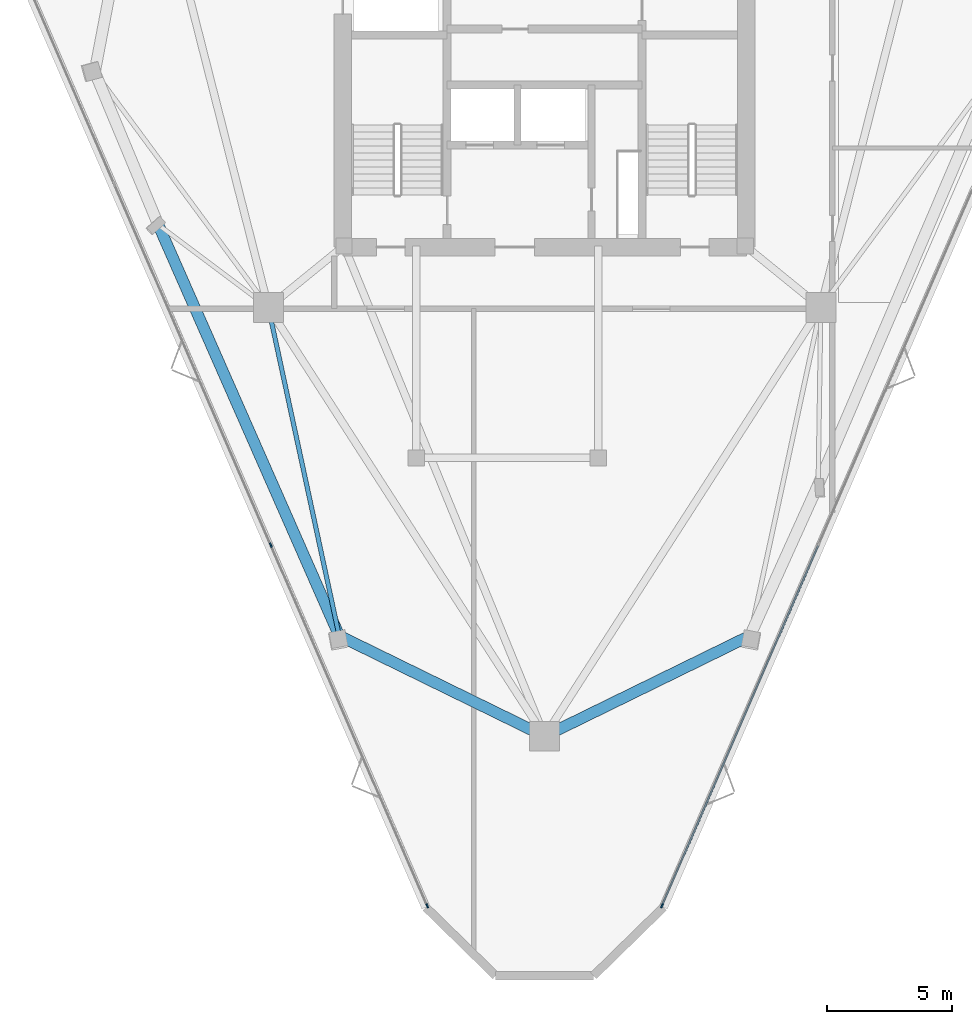
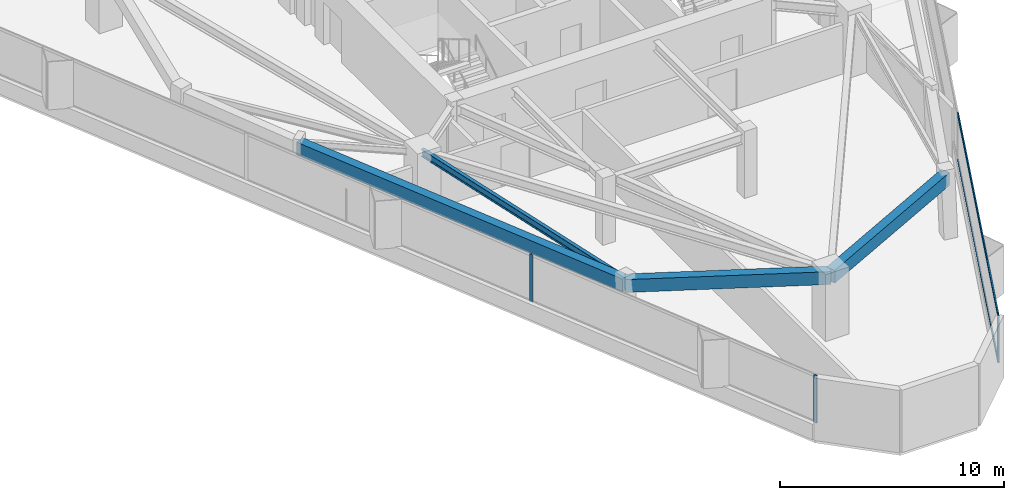
# One storey, part 2 of 11: 5 members, 4 beams, 2 elements without a shape of their own.
"""IFC4 building model written with IfcOpenShell, lengths in metres."""

from ifc_helpers import new_model, si_unit, direction, frame, origin, origin_2d, place, context, subcontext, project, spatial, rectangle, i_section, extrude, material, layer, layer_set, material_profile, profile_set, type_object, element, aggregate, save


model = new_model("IFC4")

# Units and contexts
model_context = context("Model", 3, precision=1e-05, world=origin(), true_north=direction((0.0, 1.0)))
body_context = subcontext(model_context, "Body", "Model", "MODEL_VIEW")
ifc_project = project(units=[si_unit("LENGTHUNIT", "METRE"), si_unit("AREAUNIT", "SQUARE_METRE"), si_unit("VOLUMEUNIT", "CUBIC_METRE"), si_unit("PLANEANGLEUNIT", "RADIAN"), si_unit("MASSUNIT", "GRAM", prefix="KILO")], contexts=[model_context])

# Site, building, storey
site_placement = place(None, origin())
site = spatial("IfcSite", under=ifc_project, at=site_placement, CompositionType="ELEMENT")
building_placement = place(site_placement, origin())
building = spatial("IfcBuilding", under=site, at=building_placement, Name="Talyreon Biosciences Tower", CompositionType="ELEMENT")
storey_placement = place(building_placement, frame((0.0, 0.0, 235.25)))
storey = spatial("IfcBuildingStorey", under=building, at=storey_placement, Name="L62", CompositionType="ELEMENT", Elevation=235.25)

# Curtain wall, members
ifc_material_1 = material(Name="Thermally broken aluminium and low-E glazing", Category="aluminium")
ifc_layer = layer(ifc_material_1, 0.175048828125)
ifc_layer_set = layer_set([ifc_layer], Name="Thermally broken aluminium and low-E glazing")
curtain_wall_type = type_object("IfcCurtainWallType", Name="CurtainWall_Zone5CompLab", PredefinedType="NOTDEFINED", material=ifc_layer_set)
curtain_wall_1_placement = place(storey_placement, origin())
curtain_wall_1 = element("IfcCurtainWall", 1, at=curtain_wall_1_placement, inside=storey, type_object=curtain_wall_type, Name="L62 Unitised Curtain Wall FCW-L62-00", PredefinedType="NOTDEFINED")
ifc_material_2 = material(Name="Anodised thermally broken aluminium", Category="aluminium")
ifc_material_profile_1 = material_profile(ifc_material_2, rectangle(XDim=0.06494140625, YDim=0.179931640625, at=origin_2d()), Name="ALUM MULLION 65x180")
ifc_profile_set_1 = profile_set([ifc_material_profile_1], Name="Anodised thermally broken aluminium")
member_type_1 = type_object("IfcMemberType", Name="CWMullion_65x180", PredefinedType="MULLION", material=ifc_profile_set_1)
member_1_placement = place(storey_placement, frame((61.28955078125, 34.862548828125, 0.81005859375), z_axis=(0.0, 0.0, 1.0), x_axis=(-0.917458244079, -0.397832088162, 0.0)))
member_1 = element("IfcMember", 2, at=member_1_placement, type_object=member_type_1, Name="CW6 mullion 1", PredefinedType="MULLION", context=body_context, shape_type="SweptSolid", body=[
    extrude(rectangle(XDim=0.06494140625, YDim=0.179931640625, at=origin_2d()), origin(), (0.0, 0.0, 1.0), 2.58984375),
])
member_2_placement = place(storey_placement, frame((55.012939453125, 49.337646484375, 0.81005859375), z_axis=(0.0, 0.0, 1.0), x_axis=(-0.917458244079, -0.397832088162, 0.0)))
member_2 = element("IfcMember", 3, at=member_2_placement, type_object=member_type_1, Name="CW6 mullion 2", PredefinedType="MULLION", context=body_context, shape_type="SweptSolid", body=[
    extrude(rectangle(XDim=0.06494140625, YDim=0.179931640625, at=origin_2d()), origin(), (0.0, 0.0, 1.0), 2.58984375),
])
aggregate(curtain_wall_1, [member_1, member_2])

curtain_wall_2_placement = place(storey_placement, origin())
curtain_wall_2 = element("IfcCurtainWall", 4, at=curtain_wall_2_placement, inside=storey, type_object=curtain_wall_type, Name="L62 Unitised Curtain Wall FCW-L62-08", PredefinedType="NOTDEFINED")
member_3_placement = place(storey_placement, frame((70.71044921875, 34.862548828125, 0.81005859375), z_axis=(0.0, 0.0, 1.0), x_axis=(0.917458244079, -0.397832088162, 0.0)))
member_3 = element("IfcMember", 5, at=member_3_placement, type_object=member_type_1, Name="CW6 mullion 4", PredefinedType="MULLION", context=body_context, shape_type="SweptSolid", body=[
    extrude(rectangle(XDim=0.06494140625, YDim=0.179931640625, at=origin_2d()), origin(), (0.0, 0.0, 1.0), 2.58984375),
])
ifc_material_profile_2 = material_profile(ifc_material_2, rectangle(XDim=0.06494140625, YDim=0.139892578125, at=origin_2d()), Name="ALUM TRANSOM 65x140")
ifc_profile_set_2 = profile_set([ifc_material_profile_2], Name="Anodised thermally broken aluminium")
member_type_2 = type_object("IfcMemberType", Name="CWTransom_65x140", PredefinedType="USERDEFINED", material=ifc_profile_set_2)
member_4_placement = place(storey_placement, frame((76.97412109375, 49.307861328125, 0.842529296875), z_axis=(-0.397835044798, -0.917456962004, 0.0), x_axis=(0.917456962004, -0.397835044798, 0.0)))
member_4 = element("IfcMember", 6, at=member_4_placement, type_object=member_type_2, Name="CW6 transom 3.1", ObjectType="TRANSOM", PredefinedType="USERDEFINED", context=body_context, shape_type="SweptSolid", body=[
    extrude(rectangle(XDim=0.06494140625, YDim=0.139892578125, at=origin_2d()), origin(), (0.0, 0.0, 1.0), 15.71240234375),
])
member_5_placement = place(storey_placement, frame((76.97412109375, 49.307861328125, 3.367431640625), z_axis=(-0.397835044798, -0.917456962004, 0.0), x_axis=(0.917456962004, -0.397835044798, 0.0)))
member_5 = element("IfcMember", 7, at=member_5_placement, type_object=member_type_2, Name="CW6 transom 3.2", ObjectType="TRANSOM", PredefinedType="USERDEFINED", context=body_context, shape_type="SweptSolid", body=[
    extrude(rectangle(XDim=0.06494140625, YDim=0.139892578125, at=origin_2d()), origin(), (0.0, 0.0, 1.0), 15.71240234375),
])
aggregate(curtain_wall_2, [member_3, member_4, member_5])

# Beams
ifc_material_3 = material(Name="Precast concrete C45/55", Category="concrete")
ifc_material_profile_3 = material_profile(ifc_material_3, rectangle(XDim=0.449951171875, YDim=0.699951171875, at=origin_2d()), Name="RCB 450x700")
ifc_profile_set_3 = profile_set([ifc_material_profile_3], Name="Precast concrete C45/55")
beam_type_1 = type_object("IfcBeamType", Name="ExpressedSpandrel_450x700", PredefinedType="SPANDREL", material=ifc_profile_set_3)
beam_1_placement = place(storey_placement, frame((66.0, 41.6669921875, 3.050048828125), z_axis=(0.898198399713, 0.439590303298, 0.0), x_axis=(-0.439590303298, 0.898198399713, 0.0)))
element("IfcBeam", 8, at=beam_1_placement, inside=storey, type_object=beam_type_1, Name="L62 Expressed Horizontal Concrete Spandrel 01", PredefinedType="SPANDREL", context=body_context, shape_type="SweptSolid", body=[
    extrude(rectangle(XDim=0.449951171875, YDim=0.699951171875, at=origin_2d()), origin(), (0.0, 0.0, 1.0), 9.1787109375),
])
beam_2_placement = place(storey_placement, frame((50.49365234375, 62.197998046875, 3.050048828125), z_axis=(0.402909741236, -0.91523971746, 0.0), x_axis=(0.91523971746, 0.402909741236, 0.0)))
element("IfcBeam", 9, at=beam_2_placement, inside=storey, type_object=beam_type_1, Name="L62 Expressed Horizontal Concrete Spandrel 11", PredefinedType="SPANDREL", context=body_context, shape_type="SweptSolid", body=[
    extrude(rectangle(XDim=0.449951171875, YDim=0.699951171875, at=origin_2d()), origin(), (0.0, 0.0, 1.0), 18.023681640625),
])
beam_3_placement = place(storey_placement, frame((57.755615234375, 45.701904296875, 3.050048828125), z_axis=(0.898198399713, -0.439590303298, 0.0), x_axis=(0.439590303298, 0.898198399713, 0.0)))
element("IfcBeam", 10, at=beam_3_placement, inside=storey, type_object=beam_type_1, Name="L62 Expressed Horizontal Concrete Spandrel 12", PredefinedType="SPANDREL", context=body_context, shape_type="SweptSolid", body=[
    extrude(rectangle(XDim=0.449951171875, YDim=0.699951171875, at=origin_2d()), origin(), (0.0, 0.0, 1.0), 9.1787109375),
])
ifc_material_4 = material(Name="Steel SM355", Category="steel")
ifc_material_profile_4 = material_profile(ifc_material_4, i_section(OverallWidth=0.179931640625, OverallDepth=0.39990234375, WebThickness=0.008544921875, FlangeThickness=0.013427734375, FilletRadius=0.02099609375, at=origin_2d()), Name="IPE400")
ifc_profile_set_4 = profile_set([ifc_material_profile_4], Name="Steel SM355")
beam_type_2 = type_object("IfcBeamType", Name="SteelJoist_IPE400", PredefinedType="JOIST", material=ifc_profile_set_4)
beam_4_placement = place(storey_placement, frame((54.913818359375, 58.88037109375, 3.199951171875), z_axis=(0.210794101972, -0.977530483706, 0.0), x_axis=(0.977530483706, 0.210794101972, 0.0)))
element("IfcBeam", 11, at=beam_4_placement, inside=storey, type_object=beam_type_2, Name="L62 Radial Composite Floor Joist PC-SW2", PredefinedType="JOIST", context=body_context, shape_type="SweptSolid", body=[
    extrude(i_section(OverallWidth=0.179931640625, OverallDepth=0.39990234375, WebThickness=0.008544921875, FlangeThickness=0.013427734375, FilletRadius=0.02099609375, at=origin_2d()), origin(), (0.0, 0.0, 1.0), 13.4814453125),
])

save(model, "model.ifc")
